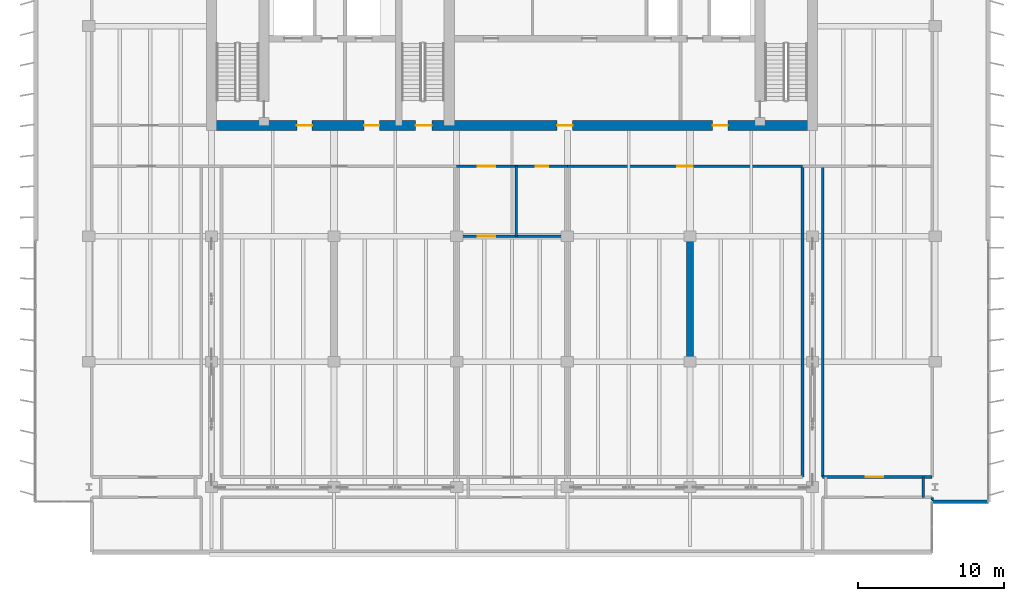
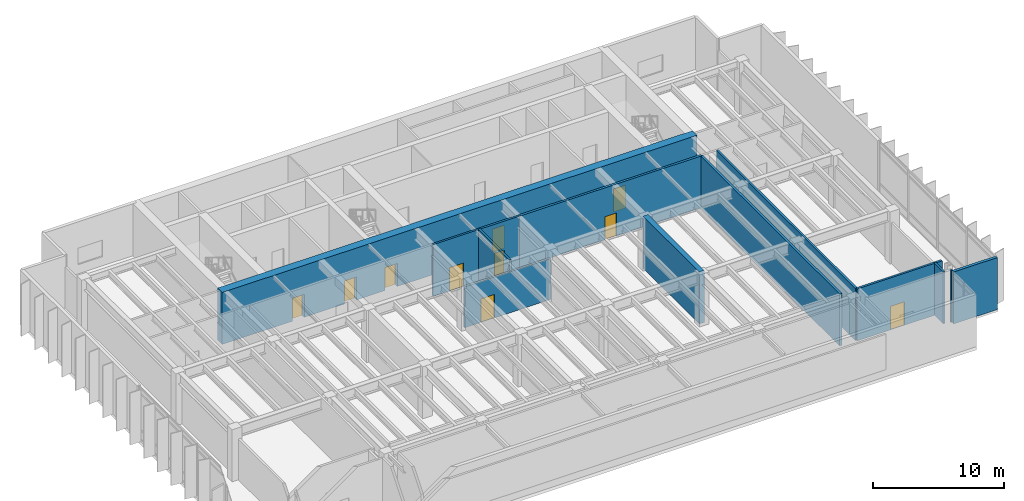
# One storey, part 16 of 23: 12 walls, 10 doors, 10 openings.
"""IFC4 building model written with IfcOpenShell, lengths in metres."""

from ifc_helpers import new_model, si_unit, direction, frame, frame_2d, origin, place, context, subcontext, project, spatial, rectangle, extrude, material, layer, layer_set, type_object, element, fill, save


model = new_model("IFC4")

# Units and contexts
model_context = context("Model", 3, precision=1e-05, world=origin(), true_north=direction((0.0, 1.0)))
body_context = subcontext(model_context, "Body", "Model", "MODEL_VIEW")
ifc_project = project(units=[si_unit("LENGTHUNIT", "METRE"), si_unit("AREAUNIT", "SQUARE_METRE"), si_unit("VOLUMEUNIT", "CUBIC_METRE"), si_unit("PLANEANGLEUNIT", "RADIAN"), si_unit("MASSUNIT", "GRAM", prefix="KILO")], contexts=[model_context])

# Site, building, storey
site_placement = place(None, origin())
site = spatial("IfcSite", under=ifc_project, at=site_placement, CompositionType="ELEMENT")
building_placement = place(site_placement, origin())
building = spatial("IfcBuilding", under=site, at=building_placement, Name="Caelmar Bay Residences", CompositionType="ELEMENT")
storey_placement = place(building_placement, frame((0.0, 0.0, 221.39990234375)))
storey = spatial("IfcBuildingStorey", under=building, at=storey_placement, Name="L62", CompositionType="ELEMENT", Elevation=221.39990234375)

# Wall, openings, doors
ifc_material_1 = material(Name="Concrete f'c 55 MPa (8,000 psi)", Category="concrete")
ifc_layer_1 = layer(ifc_material_1, 0.699951171875)
ifc_layer_set_1 = layer_set([ifc_layer_1], Name="Concrete f'c 55 MPa (8,000 psi)")
wall_type_1 = type_object("IfcWallType", Name="SW-COR-700", PredefinedType="SHEAR", material=ifc_layer_set_1)
wall_1_placement = place(storey_placement, frame((17.949951171875, 37.0, 0.0), z_axis=(0.0, 0.0, 1.0), x_axis=(1.0, 0.0, 0.0)))
wall_1 = element("IfcWall", 1, at=wall_1_placement, inside=storey, type_object=wall_type_1, Name="L62 Rear Core South Shear Wall", PredefinedType="SHEAR", context=body_context, shape_type="SweptSolid", body=[
    extrude(rectangle(XDim=41.900146484375, YDim=0.699951171875, at=frame_2d((20.9501953125, 0.0))), origin(), (0.0, 0.0, 1.0), 4.85009765625),
])
opening_1_placement = place(wall_1_placement, frame((14.35009765625, 0.0, 0.0)))
opening_1 = element("IfcOpeningElement", 2, at=opening_1_placement, cuts=wall_1, Name="Opening D-L62-105", PredefinedType="OPENING", context=body_context, shape_type="SweptSolid", body=[
    extrude(rectangle(XDim=1.10009765625, YDim=2.14990234375, at=frame_2d((0.550048828125, 1.074951171875))), frame((0.0, 0.35986328125, 0.0), z_axis=(0.0, -1.0, 0.0), x_axis=(1.0, 0.0, 0.0)), (0.0, 0.0, 1.0), 0.719970703125),
])
opening_2_placement = place(wall_1_placement, frame((6.199951171875, 0.0, 0.0)))
opening_2 = element("IfcOpeningElement", 3, at=opening_2_placement, cuts=wall_1, Name="Opening D-L62-106", PredefinedType="OPENING", context=body_context, shape_type="SweptSolid", body=[
    extrude(rectangle(XDim=1.050048828125, YDim=2.14990234375, at=frame_2d((0.52490234375, 1.074951171875))), frame((0.0, 0.35986328125, 0.0), z_axis=(0.0, -1.0, 0.0), x_axis=(1.0, 0.0, 0.0)), (0.0, 0.0, 1.0), 0.719970703125),
])
opening_3_placement = place(wall_1_placement, frame((34.699951171875, 0.0, 0.0)))
opening_3 = element("IfcOpeningElement", 4, at=opening_3_placement, cuts=wall_1, Name="Opening D-L62-109", PredefinedType="OPENING", context=body_context, shape_type="SweptSolid", body=[
    extrude(rectangle(XDim=1.050048828125, YDim=2.14990234375, at=frame_2d((0.52490234375, 1.074951171875))), frame((0.0, 0.35986328125, 0.0), z_axis=(0.0, -1.0, 0.0), x_axis=(1.0, 0.0, 0.0)), (0.0, 0.0, 1.0), 0.719970703125),
])
opening_4_placement = place(wall_1_placement, frame((10.8125, 0.0, 0.0)))
opening_4 = element("IfcOpeningElement", 5, at=opening_4_placement, cuts=wall_1, Name="Opening D-L62-112", PredefinedType="OPENING", context=body_context, shape_type="SweptSolid", body=[
    extrude(rectangle(XDim=1.050048828125, YDim=2.14990234375, at=frame_2d((0.52490234375, 1.074951171875))), frame((0.0, 0.35986328125, 0.0), z_axis=(0.0, -1.0, 0.0), x_axis=(1.0, 0.0, 0.0)), (0.0, 0.0, 1.0), 0.719970703125),
])
opening_5_placement = place(wall_1_placement, frame((24.050048828125, 0.0, 0.0)))
opening_5 = element("IfcOpeningElement", 6, at=opening_5_placement, cuts=wall_1, Name="Opening D-L62-113", PredefinedType="OPENING", context=body_context, shape_type="SweptSolid", body=[
    extrude(rectangle(XDim=1.050048828125, YDim=2.14990234375, at=frame_2d((0.52490234375, 1.074951171875))), frame((0.0, 0.35986328125, 0.0), z_axis=(0.0, -1.0, 0.0), x_axis=(1.0, 0.0, 0.0)), (0.0, 0.0, 1.0), 0.719970703125),
])
ifc_material_2 = material(Name="Fire-rated steel and walnut architectural door assembly", Category="steel")
ifc_layer_2 = layer(ifc_material_2, 0.050048828125)
ifc_layer_set_2 = layer_set([ifc_layer_2], Name="Fire-rated steel and walnut architectural door assembly")
door_type_1 = type_object("IfcDoorType", Name="D-FSAE-1050", OperationType="NOTDEFINED", PredefinedType="DOOR", material=ifc_layer_set_2)
door_1_placement = place(opening_2_placement, origin())
door_1 = element("IfcDoor", 7, at=door_1_placement, inside=storey, type_object=door_type_1, Name="L62 Firefighting Lobby West Door", OperationType="SINGLE_SWING_LEFT", OverallHeight=2.14990234375, OverallWidth=1.050048828125, PredefinedType="DOOR", context=body_context, shape_type="SweptSolid", body=[
    extrude(rectangle(XDim=1.050048828125, YDim=2.14990234375, at=frame_2d((0.52490234375, 1.074951171875))), frame((0.0, 0.02490234375, 0.0), z_axis=(0.0, -1.0, 0.0), x_axis=(1.0, 0.0, 0.0)), (0.0, 0.0, 1.0), 0.050048828125),
])
fill(opening_2, door_1)
door_2_placement = place(opening_3_placement, origin())
door_2 = element("IfcDoor", 8, at=door_2_placement, inside=storey, type_object=door_type_1, Name="L62 Firefighting Lobby East Door", OperationType="SINGLE_SWING_RIGHT", OverallHeight=2.14990234375, OverallWidth=1.050048828125, PredefinedType="DOOR", context=body_context, shape_type="SweptSolid", body=[
    extrude(rectangle(XDim=1.050048828125, YDim=2.14990234375, at=frame_2d((0.52490234375, 1.074951171875))), frame((0.0, 0.02490234375, 0.0), z_axis=(0.0, -1.0, 0.0), x_axis=(1.0, 0.0, 0.0)), (0.0, 0.0, 1.0), 0.050048828125),
])
fill(opening_3, door_2)
door_3_placement = place(opening_4_placement, origin())
door_3 = element("IfcDoor", 9, at=door_3_placement, inside=storey, type_object=door_type_1, Name="L62 West Lift Lobby Door", OperationType="SINGLE_SWING_LEFT", OverallHeight=2.14990234375, OverallWidth=1.050048828125, PredefinedType="DOOR", context=body_context, shape_type="SweptSolid", body=[
    extrude(rectangle(XDim=1.050048828125, YDim=2.14990234375, at=frame_2d((0.52490234375, 1.074951171875))), frame((0.0, 0.02490234375, 0.0), z_axis=(0.0, -1.0, 0.0), x_axis=(1.0, 0.0, 0.0)), (0.0, 0.0, 1.0), 0.050048828125),
])
fill(opening_4, door_3)
door_4_placement = place(opening_5_placement, origin())
door_4 = element("IfcDoor", 10, at=door_4_placement, inside=storey, type_object=door_type_1, Name="L62 Passenger Lift Lobby Door", OperationType="SINGLE_SWING_RIGHT", OverallHeight=2.14990234375, OverallWidth=1.050048828125, PredefinedType="DOOR", context=body_context, shape_type="SweptSolid", body=[
    extrude(rectangle(XDim=1.050048828125, YDim=2.14990234375, at=frame_2d((0.52490234375, 1.074951171875))), frame((0.0, 0.02490234375, 0.0), z_axis=(0.0, -1.0, 0.0), x_axis=(1.0, 0.0, 0.0)), (0.0, 0.0, 1.0), 0.050048828125),
])
fill(opening_5, door_4)
ifc_layer_3 = layer(ifc_material_2, 0.050048828125)
ifc_layer_set_3 = layer_set([ifc_layer_3], Name="Fire-rated steel and walnut architectural door assembly")
door_type_2 = type_object("IfcDoorType", Name="D-STAIR-1100", OperationType="NOTDEFINED", PredefinedType="DOOR", material=ifc_layer_set_3)
door_5_placement = place(opening_1_placement, origin())
door_5 = element("IfcDoor", 11, at=door_5_placement, inside=storey, type_object=door_type_2, Name="L62 Exit Stair ST3 Door", OperationType="SINGLE_SWING_RIGHT", OverallHeight=2.14990234375, OverallWidth=1.10009765625, PredefinedType="DOOR", context=body_context, shape_type="SweptSolid", body=[
    extrude(rectangle(XDim=1.10009765625, YDim=2.14990234375, at=frame_2d((0.550048828125, 1.074951171875))), frame((0.0, 0.02490234375, 0.0), z_axis=(0.0, -1.0, 0.0), x_axis=(1.0, 0.0, 0.0)), (0.0, 0.0, 1.0), 0.050048828125),
])
fill(opening_1, door_5)

# Walls
ifc_layer_4 = layer(ifc_material_1, 0.449951171875)
ifc_layer_set_4 = layer_set([ifc_layer_4], Name="Concrete f'c 55 MPa (8,000 psi)")
wall_type_2 = type_object("IfcWallType", Name="SW-XSLB-450", PredefinedType="SHEAR", material=ifc_layer_set_4)
wall_2_placement = place(storey_placement, frame((51.10009765625, 20.800048828125, 0.0), z_axis=(0.0, 0.0, 1.0), x_axis=(0.0, 1.0, 0.0)))
element("IfcWall", 12, at=wall_2_placement, inside=storey, type_object=wall_type_2, Name="L62 Transverse Cross-Slab Shear Wall E8", PredefinedType="SHEAR", context=body_context, shape_type="SweptSolid", body=[
    extrude(rectangle(XDim=8.599853515625, YDim=0.449951171875, at=frame_2d((4.2998046875, 0.0))), origin(), (0.0, 0.0, 1.0), 4.85009765625),
])
ifc_material_3 = material(Name="Double-stud acoustic fire-rated gypsum partition 180 mm")
ifc_layer_5 = layer(ifc_material_3, 0.179931640625)
ifc_layer_set_5 = layer_set([ifc_layer_5], Name="Double-stud acoustic fire-rated gypsum partition 180 mm")
wall_type_3 = type_object("IfcWallType", Name="W-COR-200", PredefinedType="PARTITIONING", material=ifc_layer_set_5)
wall_3_placement = place(storey_placement, frame((39.199951171875, 29.39990234375, 0.0), z_axis=(0.0, 0.0, 1.0), x_axis=(0.0, 1.0, 0.0)))
element("IfcWall", 13, at=wall_3_placement, inside=storey, type_object=wall_type_3, Name="L62 Partition Wall V016", PredefinedType="PARTITIONING", context=body_context, shape_type="SweptSolid", body=[
    extrude(rectangle(XDim=4.800048828125, YDim=0.179931640625, at=frame_2d((2.39990234375, 0.0))), origin(), (0.0, 0.0, 1.0), 4.85009765625),
])
wall_4_placement = place(storey_placement, frame((60.199951171875, 12.89990234375, 0.0), z_axis=(0.0, 0.0, 1.0), x_axis=(0.0, 1.0, 0.0)))
element("IfcWall", 14, at=wall_4_placement, inside=storey, type_object=wall_type_3, Name="L62 Partition Wall V031", PredefinedType="PARTITIONING", context=body_context, shape_type="SweptSolid", body=[
    extrude(rectangle(XDim=21.300048828125, YDim=0.179931640625, at=frame_2d((10.64990234375, 0.0))), origin(), (0.0, 0.0, 1.0), 4.85009765625),
])
wall_5_placement = place(storey_placement, frame((67.10009765625, 11.5, 0.0), z_axis=(0.0, 0.0, 1.0), x_axis=(0.0, 1.0, 0.0)))
element("IfcWall", 15, at=wall_5_placement, inside=storey, type_object=wall_type_3, Name="L62 Partition Wall V033", PredefinedType="PARTITIONING", context=body_context, shape_type="SweptSolid", body=[
    extrude(rectangle(XDim=1.39990234375, YDim=0.179931640625, at=frame_2d((0.699951171875, 0.0))), origin(), (0.0, 0.0, 1.0), 4.85009765625),
])
wall_6_placement = place(storey_placement, frame((67.699951171875, 11.320068359375, 0.0), z_axis=(0.0, 0.0, 1.0), x_axis=(0.0, 1.0, 0.0)))
element("IfcWall", 16, at=wall_6_placement, inside=storey, type_object=wall_type_3, Name="L62 Partition Wall V034", PredefinedType="PARTITIONING", context=body_context, shape_type="SweptSolid", body=[
    extrude(rectangle(XDim=0.179931640625, YDim=0.179931640625, at=frame_2d((0.08984375, 0.0))), origin(), (0.0, 0.0, 1.0), 4.85009765625),
])

# Wall, opening, door
wall_7_placement = place(storey_placement, frame((60.199951171875, 12.89990234375, 0.0), z_axis=(0.0, 0.0, 1.0), x_axis=(1.0, 0.0, 0.0)))
wall_7 = element("IfcWall", 17, at=wall_7_placement, inside=storey, type_object=wall_type_3, Name="L62 Partition Wall H043", PredefinedType="PARTITIONING", context=body_context, shape_type="SweptSolid", body=[
    extrude(rectangle(XDim=7.5, YDim=0.179931640625, at=frame_2d((3.75, 0.0))), origin(), (0.0, 0.0, 1.0), 4.85009765625),
])
opening_6_placement = place(wall_7_placement, frame((2.949951171875, 0.0, 0.0)))
opening_6 = element("IfcOpeningElement", 18, at=opening_6_placement, cuts=wall_7, Name="Opening D-L62-135", PredefinedType="OPENING", context=body_context, shape_type="SweptSolid", body=[
    extrude(rectangle(XDim=1.199951171875, YDim=2.199951171875, at=frame_2d((0.60009765625, 1.10009765625))), frame((0.0, 0.099853515625, 0.0), z_axis=(0.0, -1.0, 0.0), x_axis=(1.0, 0.0, 0.0)), (0.0, 0.0, 1.0), 0.199951171875),
])
ifc_layer_6 = layer(ifc_material_2, 0.050048828125)
ifc_layer_set_6 = layer_set([ifc_layer_6], Name="Fire-rated steel and walnut architectural door assembly")
door_type_3 = type_object("IfcDoorType", Name="D-PLANT-1200", OperationType="NOTDEFINED", PredefinedType="DOOR", material=ifc_layer_set_6)
door_6_placement = place(opening_6_placement, origin())
door_6 = element("IfcDoor", 19, at=door_6_placement, inside=storey, type_object=door_type_3, Name="L62 East Intake Duct Plant Room L62 Door", OperationType="SINGLE_SWING_RIGHT", OverallHeight=2.199951171875, OverallWidth=1.199951171875, PredefinedType="DOOR", context=body_context, shape_type="SweptSolid", body=[
    extrude(rectangle(XDim=1.199951171875, YDim=2.199951171875, at=frame_2d((0.60009765625, 1.10009765625))), frame((0.0, 0.02490234375, 0.0), z_axis=(0.0, -1.0, 0.0), x_axis=(1.0, 0.0, 0.0)), (0.0, 0.0, 1.0), 0.050048828125),
])
fill(opening_6, door_6)

wall_8_placement = place(storey_placement, frame((35.10009765625, 29.39990234375, 0.0), z_axis=(0.0, 0.0, 1.0), x_axis=(1.0, 0.0, 0.0)))
wall_8 = element("IfcWall", 20, at=wall_8_placement, inside=storey, type_object=wall_type_3, Name="L62 Partition Wall H044", PredefinedType="PARTITIONING", context=body_context, shape_type="SweptSolid", body=[
    extrude(rectangle(XDim=7.599853515625, YDim=0.179931640625, at=frame_2d((3.7998046875, 0.0))), origin(), (0.0, 0.0, 1.0), 3.814208984375),
])
opening_7_placement = place(wall_8_placement, frame((1.449951171875, 0.0, 0.0)))
opening_7 = element("IfcOpeningElement", 21, at=opening_7_placement, cuts=wall_8, Name="Opening D-L62-130", PredefinedType="OPENING", context=body_context, shape_type="SweptSolid", body=[
    extrude(rectangle(XDim=1.199951171875, YDim=2.199951171875, at=frame_2d((0.60009765625, 1.10009765625))), frame((0.0, 0.099853515625, 0.0), z_axis=(0.0, -1.0, 0.0), x_axis=(1.0, 0.0, 0.0)), (0.0, 0.0, 1.0), 0.199951171875),
])
door_7_placement = place(opening_7_placement, origin())
door_7 = element("IfcDoor", 22, at=door_7_placement, inside=storey, type_object=door_type_3, Name="L62 Booster Pump Plant Room L62 Door", OperationType="SINGLE_SWING_LEFT", OverallHeight=2.199951171875, OverallWidth=1.199951171875, PredefinedType="DOOR", context=body_context, shape_type="SweptSolid", body=[
    extrude(rectangle(XDim=1.199951171875, YDim=2.199951171875, at=frame_2d((0.60009765625, 1.10009765625))), frame((0.0, 0.02490234375, 0.0), z_axis=(0.0, -1.0, 0.0), x_axis=(1.0, 0.0, 0.0)), (0.0, 0.0, 1.0), 0.050048828125),
])
fill(opening_7, door_7)

# Wall, openings, doors
wall_9_placement = place(storey_placement, frame((35.10498046875, 34.199951171875, 0.0), z_axis=(0.0, 0.0, 1.0), x_axis=(1.0, 0.0, 0.0)))
wall_9 = element("IfcWall", 23, at=wall_9_placement, inside=storey, type_object=wall_type_3, Name="L62 Partition Wall H047", PredefinedType="PARTITIONING", context=body_context, shape_type="SweptSolid", body=[
    extrude(rectangle(XDim=7.594970703125, YDim=0.179931640625, at=frame_2d((3.79736328125, 0.0))), origin(), (0.0, 0.0, 1.0), 4.85009765625),
])
opening_8_placement = place(wall_9_placement, frame((1.447509765625, 0.0, 0.0)))
opening_8 = element("IfcOpeningElement", 24, at=opening_8_placement, cuts=wall_9, Name="Opening D-L62-124", PredefinedType="OPENING", context=body_context, shape_type="SweptSolid", body=[
    extrude(rectangle(XDim=1.199951171875, YDim=2.199951171875, at=frame_2d((0.60009765625, 1.10009765625))), frame((0.0, 0.099853515625, 0.0), z_axis=(0.0, -1.0, 0.0), x_axis=(1.0, 0.0, 0.0)), (0.0, 0.0, 1.0), 0.199951171875),
])
opening_9_placement = place(wall_9_placement, frame((5.419921875, 0.0, 0.0)))
opening_9 = element("IfcOpeningElement", 25, at=opening_9_placement, cuts=wall_9, Name="Opening D-L62-125", PredefinedType="OPENING", context=body_context, shape_type="SweptSolid", body=[
    extrude(rectangle(XDim=0.85009765625, YDim=2.10009765625, at=frame_2d((0.425048828125, 1.050048828125))), frame((0.0, 0.099853515625, 0.0), z_axis=(0.0, -1.0, 0.0), x_axis=(1.0, 0.0, 0.0)), (0.0, 0.0, 1.0), 0.199951171875),
])
ifc_material_4 = material(Name="Solid walnut timber interior door leaf and frame", Category="wood")
ifc_layer_7 = layer(ifc_material_4, 0.050048828125)
ifc_layer_set_7 = layer_set([ifc_layer_7], Name="Solid walnut timber interior door leaf and frame")
door_type_4 = type_object("IfcDoorType", Name="D-BATH-850", OperationType="NOTDEFINED", PredefinedType="DOOR", material=ifc_layer_set_7)
door_8_placement = place(opening_9_placement, origin())
door_8 = element("IfcDoor", 26, at=door_8_placement, inside=storey, type_object=door_type_4, Name="L62 Refuge Accessible WC L62 Door", OperationType="SINGLE_SWING_RIGHT", OverallHeight=2.10009765625, OverallWidth=0.85009765625, PredefinedType="DOOR", context=body_context, shape_type="SweptSolid", body=[
    extrude(rectangle(XDim=0.85009765625, YDim=2.10009765625, at=frame_2d((0.425048828125, 1.050048828125))), frame((0.0, 0.02490234375, 0.0), z_axis=(0.0, -1.0, 0.0), x_axis=(1.0, 0.0, 0.0)), (0.0, 0.0, 1.0), 0.050048828125),
])
fill(opening_9, door_8)
door_9_placement = place(opening_8_placement, origin())
door_9 = element("IfcDoor", 27, at=door_9_placement, inside=storey, type_object=door_type_3, Name="L62 Switchgear Electrical Plant Room L62 Door", OperationType="SINGLE_SWING_LEFT", OverallHeight=2.199951171875, OverallWidth=1.199951171875, PredefinedType="DOOR", context=body_context, shape_type="SweptSolid", body=[
    extrude(rectangle(XDim=1.199951171875, YDim=2.199951171875, at=frame_2d((0.60009765625, 1.10009765625))), frame((0.0, 0.02490234375, 0.0), z_axis=(0.0, -1.0, 0.0), x_axis=(1.0, 0.0, 0.0)), (0.0, 0.0, 1.0), 0.050048828125),
])
fill(opening_8, door_9)

# Walls
ifc_material_5 = material(Name="Precast concrete f'c 40 MPa (6,000 psi)", Category="concrete")
ifc_layer_8 = layer(ifc_material_5, 0.25)
ifc_layer_set_8 = layer_set([ifc_layer_8], Name="Precast concrete f'c 40 MPa (6,000 psi)")
wall_type_4 = type_object("IfcWallType", Name="W-EXT-250", PredefinedType="ELEMENTEDWALL", material=ifc_layer_set_8)
wall_10_placement = place(storey_placement, frame((67.699951171875, 11.199951171875, 0.0), z_axis=(0.0, 0.0, 1.0), x_axis=(1.0, 0.0, 0.0)))
element("IfcWall", 28, at=wall_10_placement, inside=storey, type_object=wall_type_4, Name="L62 SE Notch Return Wall", PredefinedType="ELEMENTEDWALL", context=body_context, shape_type="SweptSolid", body=[
    extrude(rectangle(XDim=3.85009765625, YDim=0.25, at=frame_2d((1.925048828125, 0.0))), origin(), (0.0, 0.0, 1.0), 4.85009765625),
])
ifc_material_6 = material(Name="Fire-rated masonry and gypsum shaftliner assembly 200 mm", Category="masonry")
ifc_layer_9 = layer(ifc_material_6, 0.199951171875)
ifc_layer_set_9 = layer_set([ifc_layer_9], Name="Fire-rated masonry and gypsum shaftliner assembly 200 mm")
wall_type_5 = type_object("IfcWallType", Name="W-FSAE-200", PredefinedType="PARTITIONING", material=ifc_layer_set_9)
wall_11_placement = place(storey_placement, frame((58.800048828125, 12.89990234375, 0.0), z_axis=(0.0, 0.0, 1.0), x_axis=(0.0, 1.0, 0.0)))
element("IfcWall", 29, at=wall_11_placement, inside=storey, type_object=wall_type_5, Name="L62 Partition Wall V029", PredefinedType="PARTITIONING", context=body_context, shape_type="SweptSolid", body=[
    extrude(rectangle(XDim=21.300048828125, YDim=0.199951171875, at=frame_2d((10.64990234375, 0.0))), origin(), (0.0, 0.0, 1.0), 4.85009765625),
])

# Wall, opening, door
wall_12_placement = place(storey_placement, frame((42.705078125, 34.199951171875, 0.0), z_axis=(0.0, 0.0, 1.0), x_axis=(1.0, 0.0, 0.0)))
wall_12 = element("IfcWall", 30, at=wall_12_placement, inside=storey, type_object=wall_type_5, Name="L62 Partition Wall H048", PredefinedType="PARTITIONING", context=body_context, shape_type="SweptSolid", body=[
    extrude(rectangle(XDim=16.094970703125, YDim=0.199951171875, at=frame_2d((8.04736328125, 0.0))), origin(), (0.0, 0.0, 1.0), 4.85009765625),
])
opening_10_placement = place(wall_12_placement, frame((7.5224609375, 0.0, 0.0)))
opening_10 = element("IfcOpeningElement", 31, at=opening_10_placement, cuts=wall_12, Name="Opening D-L62-126", PredefinedType="OPENING", context=body_context, shape_type="SweptSolid", body=[
    extrude(rectangle(XDim=1.050048828125, YDim=2.14990234375, at=frame_2d((0.52490234375, 1.074951171875))), frame((0.0, 0.10986328125, 0.0), z_axis=(0.0, -1.0, 0.0), x_axis=(1.0, 0.0, 0.0)), (0.0, 0.0, 1.0), 0.219970703125),
])
door_10_placement = place(opening_10_placement, origin())
door_10 = element("IfcDoor", 32, at=door_10_placement, inside=storey, type_object=door_type_1, Name="L62 East Area of Refuge L62 Door", OperationType="SINGLE_SWING_LEFT", OverallHeight=2.14990234375, OverallWidth=1.050048828125, PredefinedType="DOOR", context=body_context, shape_type="SweptSolid", body=[
    extrude(rectangle(XDim=1.050048828125, YDim=2.14990234375, at=frame_2d((0.52490234375, 1.074951171875))), frame((0.0, 0.02490234375, 0.0), z_axis=(0.0, -1.0, 0.0), x_axis=(1.0, 0.0, 0.0)), (0.0, 0.0, 1.0), 0.050048828125),
])
fill(opening_10, door_10)

save(model, "model.ifc")
